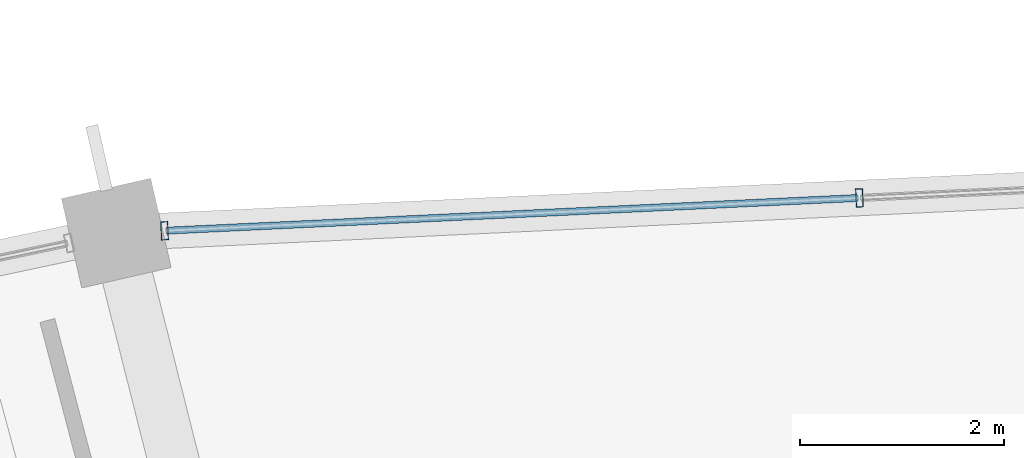
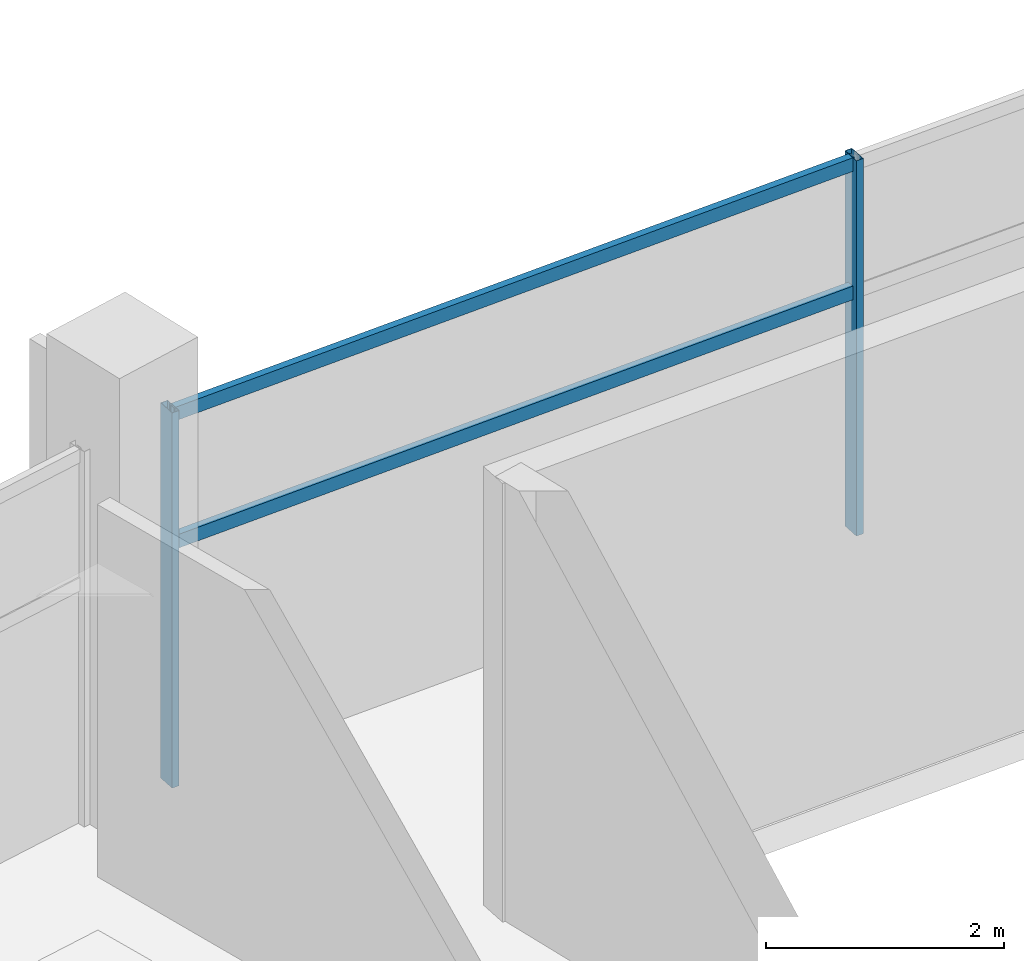
# One storey, part 81 of 156: 4 members, 1 element without a shape of its own.
"""IFC4 building model written with IfcOpenShell, lengths in metres."""

from ifc_helpers import new_model, si_unit, direction, frame, origin, origin_2d, place, context, subcontext, project, spatial, hollow_rectangle, extrude, material, layer, layer_set, material_profile, profile_set, type_object, element, aggregate, save


model = new_model("IFC4")

# Units and contexts
model_context = context("Model", 3, precision=1e-05, world=origin(), true_north=direction((0.0, 1.0)))
body_context = subcontext(model_context, "Body", "Model", "MODEL_VIEW")
ifc_project = project(units=[si_unit("LENGTHUNIT", "METRE"), si_unit("AREAUNIT", "SQUARE_METRE"), si_unit("VOLUMEUNIT", "CUBIC_METRE"), si_unit("PLANEANGLEUNIT", "RADIAN"), si_unit("MASSUNIT", "GRAM", prefix="KILO")], contexts=[model_context])

# Site, building, storey
site_placement = place(None, origin())
site = spatial("IfcSite", under=ifc_project, at=site_placement, CompositionType="ELEMENT")
building_placement = place(site_placement, origin())
building = spatial("IfcBuilding", under=site, at=building_placement, Name="Kazemori Nagisa Stadium", CompositionType="ELEMENT")
storey_placement = place(building_placement, frame((0.0, 0.0, 5.780029296875)))
storey = spatial("IfcBuildingStorey", under=building, at=storey_placement, Name="L01", CompositionType="ELEMENT", Elevation=5.780029296875)

# Curtain wall, members
ifc_material_1 = material(Name="Anodised aluminium 6063-T5", Category="aluminium")
ifc_layer = layer(ifc_material_1, 0.179931640625, Name="Anodised aluminium 6063-T5", Category="aluminium")
ifc_layer_set = layer_set([ifc_layer], Name="Anodised aluminium 6063-T5")
curtain_wall_type = type_object("IfcCurtainWallType", Name="CW_L01R3_103", PredefinedType="USERDEFINED", material=ifc_layer_set)
curtain_wall_placement = place(storey_placement, origin())
curtain_wall = element("IfcCurtainWall", 1, at=curtain_wall_placement, inside=storey, type_object=curtain_wall_type, Name="Unitised curtain wall CW-L01R3-103 L01", ObjectType="UNITISED CURTAIN WALL", PredefinedType="USERDEFINED")
ifc_material_2 = material(Name="Aluminium 6063-T5 anodised", Category="aluminium")
ifc_material_profile_1 = material_profile(ifc_material_2, hollow_rectangle(XDim=0.070068359375, YDim=0.179931640625, WallThickness=0.00390625, at=origin_2d()), Name="ALU-MULL-70x180x4")
ifc_profile_set_1 = profile_set([ifc_material_profile_1], Name="Aluminium 6063-T5 anodised")
member_type_1 = type_object("IfcMemberType", Name="Mullion_M01", PredefinedType="MULLION", material=ifc_profile_set_1)
member_1_placement = place(storey_placement, frame((108.873046875, 187.33203125, 0.0), z_axis=(0.0, 0.0, 1.0), x_axis=(-0.998884022476, -0.047230388971, 0.0)))
member_1 = element("IfcMember", 2, at=member_1_placement, type_object=member_type_1, Name="Curtain wall mullion CW-L01R3-103-M3", PredefinedType="MULLION", context=body_context, shape_type="SweptSolid", body=[
    extrude(hollow_rectangle(XDim=0.070068359375, YDim=0.179931640625, WallThickness=0.00390625, at=origin_2d()), origin(), (0.0, 0.0, 1.0), 3.849853515625),
])
member_2_placement = place(storey_placement, frame((102.046875, 187.00927734375, 0.0), z_axis=(0.0, 0.0, 1.0), x_axis=(-0.998884022476, -0.047230388971, 0.0)))
member_2 = element("IfcMember", 3, at=member_2_placement, type_object=member_type_1, Name="Curtain wall mullion CW-L01R3-103-M4", PredefinedType="MULLION", context=body_context, shape_type="SweptSolid", body=[
    extrude(hollow_rectangle(XDim=0.070068359375, YDim=0.179931640625, WallThickness=0.00390625, at=origin_2d()), origin(), (0.0, 0.0, 1.0), 3.849853515625),
])
ifc_material_profile_2 = material_profile(ifc_material_2, hollow_rectangle(XDim=0.070068359375, YDim=0.139892578125, WallThickness=0.00390625, at=origin_2d()), Name="ALU-TRAN-70x140x4")
ifc_profile_set_2 = profile_set([ifc_material_profile_2], Name="Aluminium 6063-T5 anodised")
member_type_2 = type_object("IfcMemberType", Name="Transom_T01", PredefinedType="USERDEFINED", material=ifc_profile_set_2)
member_3_placement = place(storey_placement, frame((108.85302734375, 187.3310546875, 2.4638671875), z_axis=(-0.998884581669, -0.047218561007, 0.0), x_axis=(0.047218561007, -0.998884581669, 0.0)))
member_3 = element("IfcMember", 4, at=member_3_placement, type_object=member_type_2, Name="Curtain wall transom CW-L01R3-103-T3-mid", ObjectType="TRANSOM", PredefinedType="USERDEFINED", context=body_context, shape_type="SweptSolid", body=[
    extrude(hollow_rectangle(XDim=0.070068359375, YDim=0.139892578125, WallThickness=0.00390625, at=origin_2d()), origin(), (0.0, 0.0, 1.0), 6.7939453125),
])
member_4_placement = place(storey_placement, frame((108.85302734375, 187.3310546875, 3.780029296875), z_axis=(-0.998884581669, -0.047218561007, 0.0), x_axis=(0.047218561007, -0.998884581669, 0.0)))
member_4 = element("IfcMember", 5, at=member_4_placement, type_object=member_type_2, Name="Curtain wall transom CW-L01R3-103-T3-head", ObjectType="TRANSOM", PredefinedType="USERDEFINED", context=body_context, shape_type="SweptSolid", body=[
    extrude(hollow_rectangle(XDim=0.070068359375, YDim=0.139892578125, WallThickness=0.00390625, at=origin_2d()), origin(), (0.0, 0.0, 1.0), 6.7939453125),
])
aggregate(curtain_wall, [member_1, member_2, member_3, member_4])

save(model, "model.ifc")
